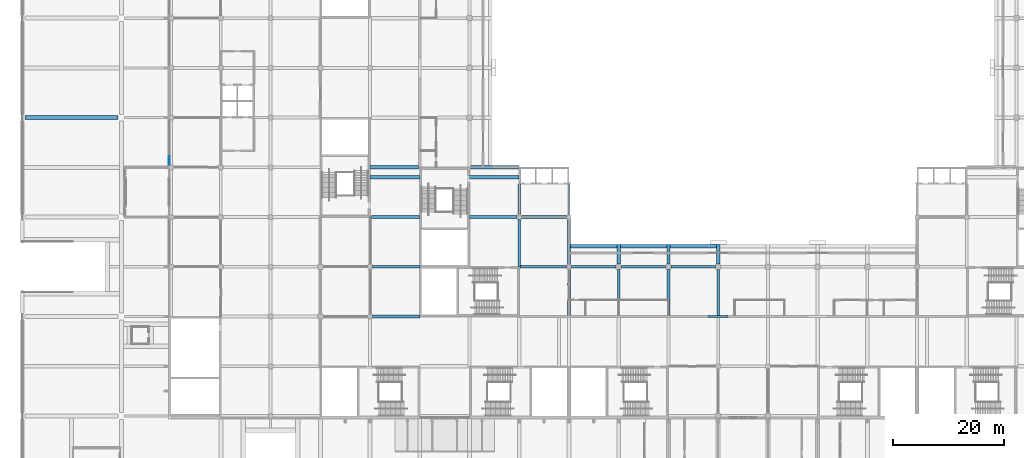
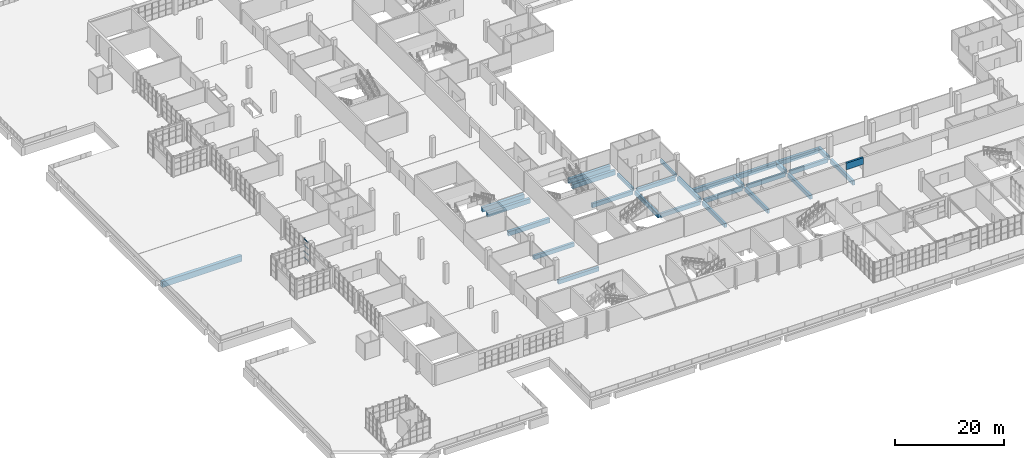
# One storey, part 33 of 168: 29 beams, 4 members, 1 element without a shape of its own.
"""IFC4 building model written with IfcOpenShell, lengths in metres."""

from ifc_helpers import new_model, si_unit, direction, frame, origin, origin_2d, place, context, subcontext, project, spatial, rectangle, extrude, material, material_profile, profile_set, type_object, element, aggregate, save


model = new_model("IFC4")

# Units and contexts
model_context = context("Model", 3, precision=1e-05, world=origin(), true_north=direction((0.0, 1.0)))
body_context = subcontext(model_context, "Body", "Model", "MODEL_VIEW")
ifc_project = project(units=[si_unit("LENGTHUNIT", "METRE"), si_unit("AREAUNIT", "SQUARE_METRE"), si_unit("VOLUMEUNIT", "CUBIC_METRE"), si_unit("PLANEANGLEUNIT", "RADIAN"), si_unit("MASSUNIT", "GRAM", prefix="KILO")], contexts=[model_context])

# Site, building, storey
site_placement = place(None, origin())
site = spatial("IfcSite", under=ifc_project, at=site_placement, CompositionType="ELEMENT")
building_placement = place(site_placement, origin())
building = spatial("IfcBuilding", under=site, at=building_placement, Name="Silverbay Arena", CompositionType="ELEMENT")
storey_placement = place(building_placement, frame((0.0, 0.0, 7.0)))
storey = spatial("IfcBuildingStorey", under=building, at=storey_placement, Name="L01", CompositionType="ELEMENT", Elevation=7.0)

# Beams
ifc_material_1 = material(Name="Concrete Grade C45", Category="concrete")
ifc_material_profile_1 = material_profile(ifc_material_1, rectangle(XDim=0.39990234375, YDim=0.699951171875, at=origin_2d()), Name="RC 400x700")
ifc_profile_set_1 = profile_set([ifc_material_profile_1], Name="Concrete Grade C45")
beam_type_1 = type_object("IfcBeamType", Name="RC beam 400x700", PredefinedType="BEAM", material=ifc_profile_set_1)
for number, where, z_axis, x_axis, name in (
    (1, (90.0, 54.449951171875, -0.699951171875), (0.0, 1.0, 0.0), (-1.0, 0.0, 0.0), "Floor beam L01 239"),
    (2, (99.0, 54.449951171875, -0.699951171875), (0.0, 1.0, 0.0), (-1.0, 0.0, 0.0), "Floor beam L01 248"),
):
    element("IfcBeam", number, at=place(storey_placement, frame(where, z_axis=z_axis, x_axis=x_axis)), inside=storey, type_object=beam_type_1, Name=name, PredefinedType="BEAM", context=body_context, shape_type="SweptSolid", body=[
        extrude(rectangle(XDim=0.39990234375, YDim=0.699951171875, at=origin_2d()), origin(), (0.0, 0.0, 1.0), 5.550048828125),
    ])
ifc_material_2 = material(Name="Concrete Grade C45", Category="concrete")
ifc_material_profile_2 = material_profile(ifc_material_2, rectangle(XDim=0.5, YDim=1.0, at=origin_2d()), Name="RC 500x1000")
ifc_profile_set_2 = profile_set([ifc_material_profile_2], Name="Concrete Grade C45")
beam_type_2 = type_object("IfcBeamType", Name="RC beam 500x1000", PredefinedType="BEAM", material=ifc_profile_set_2)
beam_1_placement = place(storey_placement, frame((99.0, 45.449951171875, -0.85009765625), z_axis=(0.0, 1.0, 0.0), x_axis=(-1.0, 0.0, 0.0)))
element("IfcBeam", 3, at=beam_1_placement, inside=storey, type_object=beam_type_2, Name="Floor beam L01 247", PredefinedType="BEAM", context=body_context, shape_type="SweptSolid", body=[
    extrude(rectangle(XDim=0.5, YDim=1.0, at=origin_2d()), origin(), (0.0, 0.0, 1.0), 8.10009765625),
])
ifc_material_3 = material(Name="Concrete Grade C45", Category="concrete")
ifc_material_profile_3 = material_profile(ifc_material_3, rectangle(XDim=0.5, YDim=0.89990234375, at=origin_2d()), Name="RC 500x900")
ifc_profile_set_3 = profile_set([ifc_material_profile_3], Name="Concrete Grade C45")
beam_type_3 = type_object("IfcBeamType", Name="RC beam 500x900", PredefinedType="BEAM", material=ifc_profile_set_3)
for number, where, z_axis, x_axis, name in (
    (4, (63.449951171875, 36.0, -0.800048828125), (1.0, 0.0, 0.0), (0.0, 1.0, 0.0), "Floor beam L01 022"),
    (5, (63.449951171875, 45.0, -0.800048828125), (1.0, 0.0, 0.0), (0.0, 1.0, 0.0), "Floor beam L01 031"),
):
    element("IfcBeam", number, at=place(storey_placement, frame(where, z_axis=z_axis, x_axis=x_axis)), inside=storey, type_object=beam_type_3, Name=name, PredefinedType="BEAM", context=body_context, shape_type="SweptSolid", body=[
        extrude(rectangle(XDim=0.5, YDim=0.89990234375, at=origin_2d()), origin(), (0.0, 0.0, 1.0), 8.550048828125),
    ])
beam_2_placement = place(storey_placement, frame((90.25, 45.0, -0.800048828125), z_axis=(1.0, 0.0, 0.0), x_axis=(0.0, 1.0, 0.0)))
element("IfcBeam", 6, at=beam_2_placement, inside=storey, type_object=beam_type_3, Name="Floor beam L01 032", PredefinedType="BEAM", context=body_context, shape_type="SweptSolid", body=[
    extrude(rectangle(XDim=0.5, YDim=0.89990234375, at=origin_2d()), origin(), (0.0, 0.0, 1.0), 8.300048828125),
])
beam_3_placement = place(storey_placement, frame((99.449951171875, 45.0, -0.800048828125), z_axis=(1.0, 0.0, 0.0), x_axis=(0.0, 1.0, 0.0)))
element("IfcBeam", 7, at=beam_3_placement, inside=storey, type_object=beam_type_3, Name="Floor beam L01 033", PredefinedType="BEAM", context=body_context, shape_type="SweptSolid", body=[
    extrude(rectangle(XDim=0.5, YDim=0.89990234375, at=origin_2d()), origin(), (0.0, 0.0, 1.0), 8.050048828125),
])
for number, where, z_axis, x_axis, name in (
    (8, (108.5, 45.0, -0.800048828125), (1.0, 0.0, 0.0), (0.0, 1.0, 0.0), "Floor beam L01 034"),
    (9, (117.5, 45.0, -0.800048828125), (1.0, 0.0, 0.0), (0.0, 1.0, 0.0), "Floor beam L01 035"),
):
    element("IfcBeam", number, at=place(storey_placement, frame(where, z_axis=z_axis, x_axis=x_axis)), inside=storey, type_object=beam_type_3, Name=name, PredefinedType="BEAM", context=body_context, shape_type="SweptSolid", body=[
        extrude(rectangle(XDim=0.5, YDim=0.89990234375, at=origin_2d()), origin(), (0.0, 0.0, 1.0), 8.0),
    ])
beam_4_placement = place(storey_placement, frame((81.0, 54.0, -0.800048828125), z_axis=(1.0, 0.0, 0.0), x_axis=(0.0, 1.0, 0.0)))
element("IfcBeam", 10, at=beam_4_placement, inside=storey, type_object=beam_type_3, Name="Floor beam L01 050", PredefinedType="BEAM", context=body_context, shape_type="SweptSolid", body=[
    extrude(rectangle(XDim=0.5, YDim=0.89990234375, at=origin_2d()), origin(), (0.0, 0.0, 1.0), 8.550048828125),
])
beam_5_placement = place(storey_placement, frame((90.449951171875, 54.0, -0.800048828125), z_axis=(1.0, 0.0, 0.0), x_axis=(0.0, 1.0, 0.0)))
element("IfcBeam", 11, at=beam_5_placement, inside=storey, type_object=beam_type_3, Name="Floor beam L01 051", PredefinedType="BEAM", context=body_context, shape_type="SweptSolid", body=[
    extrude(rectangle(XDim=0.5, YDim=0.89990234375, at=origin_2d()), origin(), (0.0, 0.0, 1.0), 8.10009765625),
])
beam_6_placement = place(storey_placement, frame((90.0, 45.0, -0.800048828125), z_axis=(0.0, 1.0, 0.0), x_axis=(-1.0, 0.0, 0.0)))
element("IfcBeam", 12, at=beam_6_placement, inside=storey, type_object=beam_type_3, Name="Floor beam L01 238", PredefinedType="BEAM", context=body_context, shape_type="SweptSolid", body=[
    extrude(rectangle(XDim=0.5, YDim=0.89990234375, at=origin_2d()), origin(), (0.0, 0.0, 1.0), 8.550048828125),
])
beam_7_placement = place(storey_placement, frame((99.0, 36.199951171875, -0.800048828125), z_axis=(0.0, 1.0, 0.0), x_axis=(-1.0, 0.0, 0.0)))
element("IfcBeam", 13, at=beam_7_placement, inside=storey, type_object=beam_type_3, Name="Floor beam L01 246", PredefinedType="BEAM", context=body_context, shape_type="SweptSolid", body=[
    extrude(rectangle(XDim=0.5, YDim=0.89990234375, at=origin_2d()), origin(), (0.0, 0.0, 1.0), 8.35009765625),
])
for number, where, z_axis, x_axis, name in (
    (14, (108.0, 36.199951171875, -0.800048828125), (0.0, 1.0, 0.0), (-1.0, 0.0, 0.0), "Floor beam L01 254"),
    (15, (117.0, 36.199951171875, -0.800048828125), (0.0, 1.0, 0.0), (-1.0, 0.0, 0.0), "Floor beam L01 260"),
    (16, (126.0, 36.199951171875, -0.800048828125), (0.0, 1.0, 0.0), (-1.0, 0.0, 0.0), "Floor beam L01 267"),
):
    element("IfcBeam", number, at=place(storey_placement, frame(where, z_axis=z_axis, x_axis=x_axis)), inside=storey, type_object=beam_type_3, Name=name, PredefinedType="BEAM", context=body_context, shape_type="SweptSolid", body=[
        extrude(rectangle(XDim=0.5, YDim=0.89990234375, at=origin_2d()), origin(), (0.0, 0.0, 1.0), 8.300048828125),
    ])
ifc_material_4 = material(Name="Concrete Grade C45", Category="concrete")
ifc_material_profile_4 = material_profile(ifc_material_4, rectangle(XDim=0.60009765625, YDim=1.0, at=origin_2d()), Name="RC 600x1000")
ifc_profile_set_4 = profile_set([ifc_material_profile_4], Name="Concrete Grade C45")
beam_type_4 = type_object("IfcBeamType", Name="RC beam 600x1000", PredefinedType="BEAM", material=ifc_profile_set_4)
beam_8_placement = place(storey_placement, frame((63.25, 54.0, -0.85009765625), z_axis=(1.0, 0.0, 0.0), x_axis=(0.0, 1.0, 0.0)))
element("IfcBeam", 17, at=beam_8_placement, inside=storey, type_object=beam_type_4, Name="Floor beam L01 049", PredefinedType="BEAM", context=body_context, shape_type="SweptSolid", body=[
    extrude(rectangle(XDim=0.60009765625, YDim=1.0, at=origin_2d()), origin(), (0.0, 0.0, 1.0), 8.75),
])
for number, where, z_axis, x_axis, name in (
    (18, (63.0, 61.199951171875, -0.85009765625), (1.0, 0.0, 0.0), (0.0, 1.0, 0.0), "Floor beam L01 058"),
    (19, (81.0, 61.199951171875, -0.85009765625), (1.0, 0.0, 0.0), (0.0, 1.0, 0.0), "Floor beam L01 059"),
):
    element("IfcBeam", number, at=place(storey_placement, frame(where, z_axis=z_axis, x_axis=x_axis)), inside=storey, type_object=beam_type_4, Name=name, PredefinedType="BEAM", context=body_context, shape_type="SweptSolid", body=[
        extrude(rectangle(XDim=0.60009765625, YDim=1.0, at=origin_2d()), origin(), (0.0, 0.0, 1.0), 9.0),
    ])
beam_9_placement = place(storey_placement, frame((63.0, 63.0, -0.85009765625), z_axis=(1.0, 0.0, 0.0), x_axis=(0.0, 1.0, 0.0)))
element("IfcBeam", 20, at=beam_9_placement, inside=storey, type_object=beam_type_4, Name="Floor beam L01 065", PredefinedType="BEAM", context=body_context, shape_type="SweptSolid", body=[
    extrude(rectangle(XDim=0.60009765625, YDim=1.0, at=origin_2d()), origin(), (0.0, 0.0, 1.0), 8.800048828125),
])
beam_10_placement = place(storey_placement, frame((81.25, 63.0, -0.85009765625), z_axis=(1.0, 0.0, 0.0), x_axis=(0.0, 1.0, 0.0)))
element("IfcBeam", 21, at=beam_10_placement, inside=storey, type_object=beam_type_4, Name="Floor beam L01 066", PredefinedType="BEAM", context=body_context, shape_type="SweptSolid", body=[
    extrude(rectangle(XDim=0.60009765625, YDim=1.0, at=origin_2d()), origin(), (0.0, 0.0, 1.0), 8.75),
])
for number, where, z_axis, x_axis, name in (
    (22, (108.0, 45.5, -0.85009765625), (0.0, 1.0, 0.0), (-1.0, 0.0, 0.0), "Floor beam L01 255"),
    (23, (117.0, 45.5, -0.85009765625), (0.0, 1.0, 0.0), (-1.0, 0.0, 0.0), "Floor beam L01 261"),
    (24, (126.0, 45.5, -0.85009765625), (0.0, 1.0, 0.0), (-1.0, 0.0, 0.0), "Floor beam L01 268"),
):
    element("IfcBeam", number, at=place(storey_placement, frame(where, z_axis=z_axis, x_axis=x_axis)), inside=storey, type_object=beam_type_4, Name=name, PredefinedType="BEAM", context=body_context, shape_type="SweptSolid", body=[
        extrude(rectangle(XDim=0.60009765625, YDim=1.0, at=origin_2d()), origin(), (0.0, 0.0, 1.0), 3.5),
    ])
beam_11_placement = place(storey_placement, frame((99.25, 48.699951171875, -0.85009765625), z_axis=(1.0, 0.0, 0.0), x_axis=(0.0, 1.0, 0.0)))
element("IfcBeam", 25, at=beam_11_placement, inside=storey, type_object=beam_type_4, Name="Floor beam L01 365", PredefinedType="BEAM", context=body_context, shape_type="SweptSolid", body=[
    extrude(rectangle(XDim=0.60009765625, YDim=1.0, at=origin_2d()), origin(), (0.0, 0.0, 1.0), 8.449951171875),
])
for number, where, z_axis, x_axis, name in (
    (26, (108.300048828125, 48.699951171875, -0.85009765625), (1.0, 0.0, 0.0), (0.0, 1.0, 0.0), "Floor beam L01 366"),
    (27, (117.300048828125, 48.699951171875, -0.85009765625), (1.0, 0.0, 0.0), (0.0, 1.0, 0.0), "Floor beam L01 367"),
):
    element("IfcBeam", number, at=place(storey_placement, frame(where, z_axis=z_axis, x_axis=x_axis)), inside=storey, type_object=beam_type_4, Name=name, PredefinedType="BEAM", context=body_context, shape_type="SweptSolid", body=[
        extrude(rectangle(XDim=0.60009765625, YDim=1.0, at=origin_2d()), origin(), (0.0, 0.0, 1.0), 8.39990234375),
    ])
ifc_material_5 = material(Name="Concrete Grade C45", Category="concrete")
ifc_material_profile_5 = material_profile(ifc_material_5, rectangle(XDim=0.699951171875, YDim=1.300048828125, at=origin_2d()), Name="RC 700x1300")
ifc_profile_set_5 = profile_set([ifc_material_profile_5], Name="Concrete Grade C45")
beam_type_5 = type_object("IfcBeamType", Name="RC girder 700x1300", PredefinedType="BEAM", material=ifc_profile_set_5)
beam_12_placement = place(storey_placement, frame((0.60009765625, 72.0, -1.10009765625), z_axis=(1.0, 0.0, 0.0), x_axis=(0.0, 1.0, 0.0)))
element("IfcBeam", 28, at=beam_12_placement, inside=storey, type_object=beam_type_5, Name="Deck row beam 079", PredefinedType="BEAM", context=body_context, shape_type="SweptSolid", body=[
    extrude(rectangle(XDim=0.699951171875, YDim=1.300048828125, at=origin_2d()), origin(), (0.0, 0.0, 1.0), 16.7998046875),
])
ifc_material_6 = material(Name="Concrete Grade C45", Category="concrete")
ifc_material_profile_6 = material_profile(ifc_material_6, rectangle(XDim=0.39990234375, YDim=1.5, at=origin_2d()), Name="RC 400x1500")
ifc_profile_set_6 = profile_set([ifc_material_profile_6], Name="Concrete Grade C45")
beam_type_6 = type_object("IfcBeamType", Name="RC lintel 400x1500", PredefinedType="BEAM", material=ifc_profile_set_6)
beam_13_placement = place(storey_placement, frame((124.199951171875, 36.0, 3.75), z_axis=(1.0, 0.0, 0.0), x_axis=(0.0, 1.0, 0.0)))
element("IfcBeam", 29, at=beam_13_placement, inside=storey, type_object=beam_type_6, Name="Lintel over portal L01-S126", PredefinedType="BEAM", context=body_context, shape_type="SweptSolid", body=[
    extrude(rectangle(XDim=0.39990234375, YDim=1.5, at=origin_2d()), origin(), (0.0, 0.0, 1.0), 3.60009765625),
])

# Curtain wall, members
ifc_material_7 = material(Name="Aluminium framed curtain wall", Category="aluminium")
curtain_wall_type = type_object("IfcCurtainWallType", Name="Curtain wall 8200 x 4150", PredefinedType="NOTDEFINED", material=ifc_material_7)
curtain_wall_placement = place(storey_placement, origin())
curtain_wall = element("IfcCurtainWall", 30, at=curtain_wall_placement, inside=storey, type_object=curtain_wall_type, Name="West curtain wall L01 bay 6", PredefinedType="NOTDEFINED")
ifc_material_8 = material(Name="Aluminium", Category="aluminium")
ifc_material_profile_7 = material_profile(ifc_material_8, rectangle(XDim=0.1201171875, YDim=0.050048828125, at=origin_2d()), Name="Transom 50 x 120")
ifc_profile_set_7 = profile_set([ifc_material_profile_7], Name="Aluminium")
member_type = type_object("IfcMemberType", Name="Transom 50 x 120", PredefinedType="USERDEFINED", material=ifc_profile_set_7)
member_1_placement = place(storey_placement, frame((26.669921875, 65.010009765625, 0.02490234375), z_axis=(0.0, -1.0, 0.0), x_axis=(1.0, 0.0, 0.0)))
member_1 = element("IfcMember", 31, at=member_1_placement, type_object=member_type, Name="CW7 transom 5.1", ObjectType="TRANSOM", PredefinedType="USERDEFINED", context=body_context, shape_type="SweptSolid", body=[
    extrude(rectangle(XDim=0.1201171875, YDim=0.050048828125, at=origin_2d()), origin(), (0.0, 0.0, 1.0), 1.550048828125),
])
member_2_placement = place(storey_placement, frame((26.669921875, 65.010009765625, 1.38330078125), z_axis=(0.0, -1.0, 0.0), x_axis=(1.0, 0.0, 0.0)))
member_2 = element("IfcMember", 32, at=member_2_placement, type_object=member_type, Name="CW7 transom 5.2", ObjectType="TRANSOM", PredefinedType="USERDEFINED", context=body_context, shape_type="SweptSolid", body=[
    extrude(rectangle(XDim=0.1201171875, YDim=0.050048828125, at=origin_2d()), origin(), (0.0, 0.0, 1.0), 1.550048828125),
])
member_3_placement = place(storey_placement, frame((26.669921875, 65.010009765625, 2.7666015625), z_axis=(0.0, -1.0, 0.0), x_axis=(1.0, 0.0, 0.0)))
member_3 = element("IfcMember", 33, at=member_3_placement, type_object=member_type, Name="CW7 transom 5.3", ObjectType="TRANSOM", PredefinedType="USERDEFINED", context=body_context, shape_type="SweptSolid", body=[
    extrude(rectangle(XDim=0.1201171875, YDim=0.050048828125, at=origin_2d()), origin(), (0.0, 0.0, 1.0), 1.550048828125),
])
member_4_placement = place(storey_placement, frame((26.669921875, 65.010009765625, 4.125), z_axis=(0.0, -1.0, 0.0), x_axis=(1.0, 0.0, 0.0)))
member_4 = element("IfcMember", 34, at=member_4_placement, type_object=member_type, Name="CW7 transom 5.4", ObjectType="TRANSOM", PredefinedType="USERDEFINED", context=body_context, shape_type="SweptSolid", body=[
    extrude(rectangle(XDim=0.1201171875, YDim=0.050048828125, at=origin_2d()), origin(), (0.0, 0.0, 1.0), 1.550048828125),
])
aggregate(curtain_wall, [member_1, member_2, member_3, member_4])

save(model, "model.ifc")
